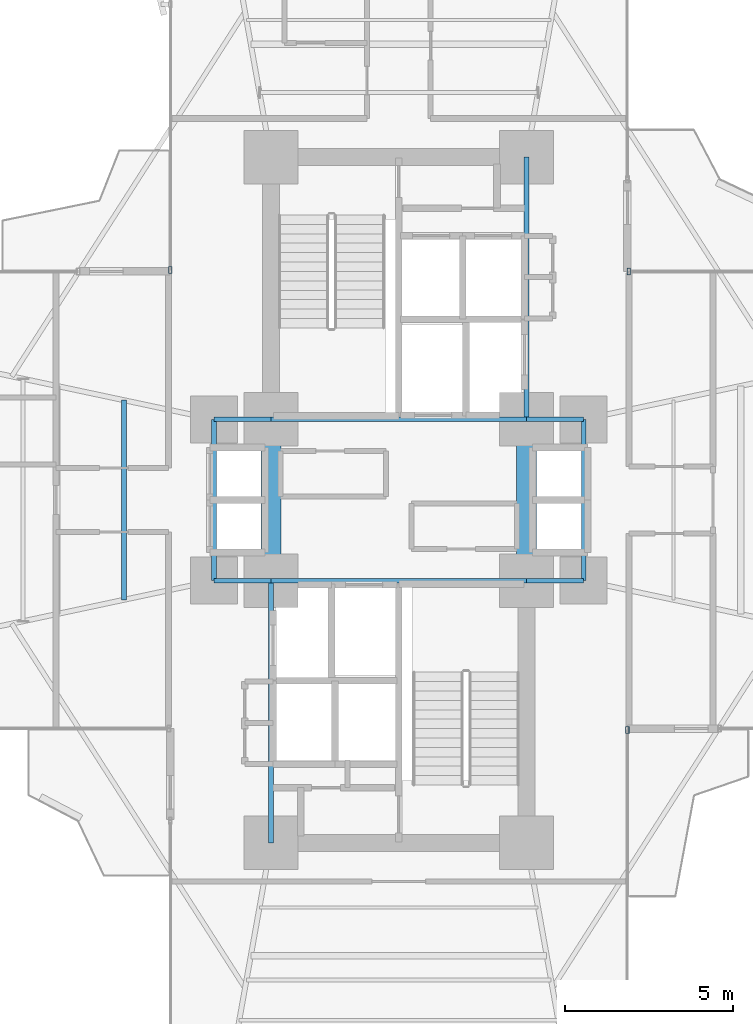
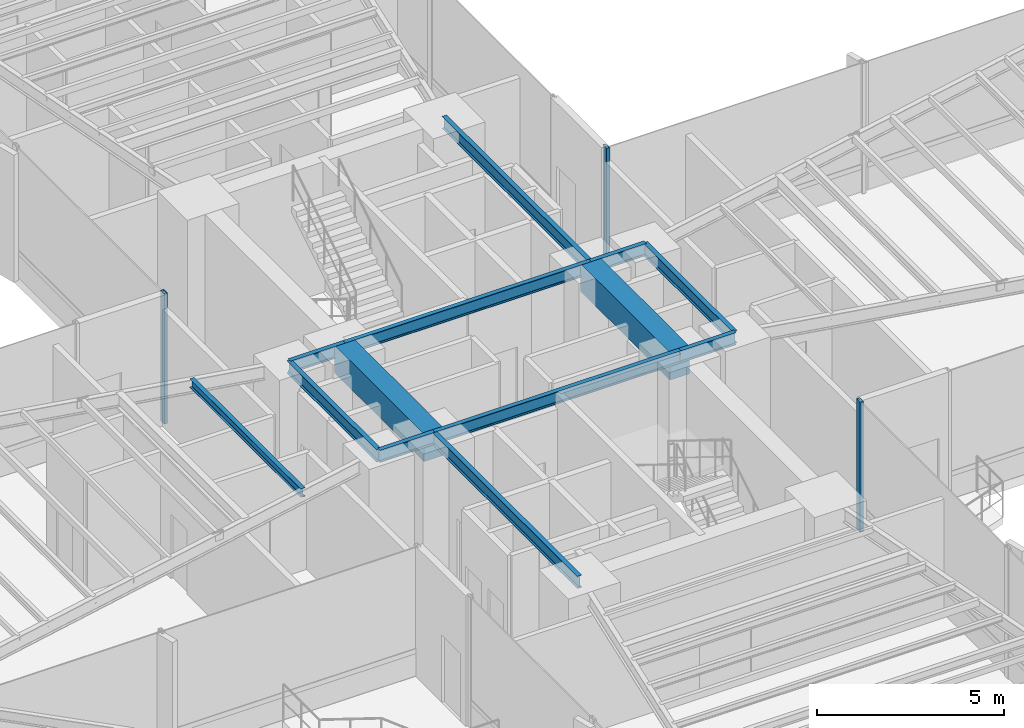
# One storey, part 7 of 20: 13 beams, 3 members, 3 elements without a shape of their own.
"""IFC4 building model written with IfcOpenShell, lengths in metres."""

from ifc_helpers import new_model, si_unit, direction, frame, origin, origin_2d, place, context, subcontext, project, spatial, rectangle, hollow_rectangle, i_section, extrude, source, transform, mapped, material, material_profile, profile_set, type_object, element, aggregate, save


model = new_model("IFC4")

# Units and contexts
model_context = context("Model", 3, precision=1e-05, world=origin(), true_north=direction((0.0, 1.0)))
body_context = subcontext(model_context, "Body", "Model", "MODEL_VIEW")
ifc_project = project(units=[si_unit("LENGTHUNIT", "METRE"), si_unit("AREAUNIT", "SQUARE_METRE"), si_unit("VOLUMEUNIT", "CUBIC_METRE"), si_unit("PLANEANGLEUNIT", "RADIAN"), si_unit("MASSUNIT", "GRAM", prefix="KILO")], contexts=[model_context])

# Site, building, storey
site_placement = place(None, origin())
site = spatial("IfcSite", under=ifc_project, at=site_placement, CompositionType="ELEMENT")
building_placement = place(site_placement, origin())
building = spatial("IfcBuilding", under=site, at=building_placement, Name="Sahyath Konkavel Grand Hotel", CompositionType="ELEMENT")
storey_placement = place(building_placement, frame((0.0, 0.0, 46.550048828125)))
storey = spatial("IfcBuildingStorey", under=building, at=storey_placement, Name="L12", CompositionType="ELEMENT", Elevation=46.550048828125)

# Beams
ifc_material_1 = material(Name="Concrete C70/85", Category="concrete")
ifc_material_profile_1 = material_profile(ifc_material_1, rectangle(XDim=0.60009765625, YDim=0.89990234375, at=origin_2d()), Name="RC 600x900")
ifc_profile_set_1 = profile_set([ifc_material_profile_1], Name="Concrete C70/85")
beam_type_1 = type_object("IfcBeamType", Name="BM-CB600x900", PredefinedType="LINTEL", material=ifc_profile_set_1)
shared_shape_1 = source(origin(), body_context, "Body", "SweptSolid", [
    extrude(rectangle(XDim=0.60009765625, YDim=0.89990234375, at=origin_2d()), origin(), (0.0, 0.0, 1.0), 4.7998046875),
])
for number, where, z_axis, x_axis, name in (
    (1, (-3.800048828125, -2.39990234375, 3.81005859375), (0.0, 1.0, 0.0), (-1.0, 0.0, 0.0), "L12 Split-Core Coupling Beam West"),
    (2, (3.800048828125, -2.39990234375, 3.81005859375), (0.0, 1.0, 0.0), (-1.0, 0.0, 0.0), "L12 Split-Core Coupling Beam East"),
):
    element("IfcBeam", number, at=place(storey_placement, frame(where, z_axis=z_axis, x_axis=x_axis)), inside=storey, type_object=beam_type_1, Name=name, PredefinedType="LINTEL", context=body_context, shape_type="MappedRepresentation", body=[
        mapped(shared_shape_1, transform((0.0, 0.0, 0.0), scale=1.0)),
    ])
ifc_material_2 = material(Name="Steel E350", Category="steel")
ifc_material_profile_2 = material_profile(ifc_material_2, i_section(OverallWidth=0.139892578125, OverallDepth=0.39990234375, WebThickness=0.0087890625, FlangeThickness=0.01611328125, FilletRadius=0.013916015625, at=origin_2d()), Name="ISMB 400")
ifc_profile_set_2 = profile_set([ifc_material_profile_2], Name="Steel E350")
beam_type_2 = type_object("IfcBeamType", Name="BM-ISMB400", PredefinedType="BEAM", material=ifc_profile_set_2)
shared_shape_2 = source(origin(), body_context, "Body", "SweptSolid", [
    extrude(i_section(OverallWidth=0.139892578125, OverallDepth=0.39990234375, WebThickness=0.0087890625, FlangeThickness=0.01611328125, FilletRadius=0.013916015625, at=origin_2d()), origin(), (0.0, 0.0, 1.0), 7.60009765625),
])
for number, where, z_axis, x_axis, name in (
    (3, (-3.800048828125, 2.39990234375, 4.06005859375), (1.0, 0.0, 0.0), (0.0, 1.0, 0.0), "str:bm:L12:NC-S"),
    (4, (-3.800048828125, -2.39990234375, 4.06005859375), (1.0, 0.0, 0.0), (0.0, 1.0, 0.0), "str:bm:L12:SC-N"),
):
    element("IfcBeam", number, at=place(storey_placement, frame(where, z_axis=z_axis, x_axis=x_axis)), inside=storey, type_object=beam_type_2, Name=name, PredefinedType="BEAM", context=body_context, shape_type="MappedRepresentation", body=[
        mapped(shared_shape_2, transform((0.0, 0.0, 0.0), scale=1.0)),
    ])
shared_shape_3 = source(origin(), body_context, "Body", "SweptSolid", [
    extrude(i_section(OverallWidth=0.139892578125, OverallDepth=0.39990234375, WebThickness=0.0087890625, FlangeThickness=0.01611328125, FilletRadius=0.013916015625, at=origin_2d()), origin(), (0.0, 0.0, 1.0), 7.800048828125),
])
for number, where, z_axis, x_axis, name in (
    (5, (3.800048828125, 2.39990234375, 4.06005859375), (0.0, 1.0, 0.0), (-1.0, 0.0, 0.0), "str:bm:L12:NC-E"),
    (6, (-3.800048828125, -10.199951171875, 4.06005859375), (0.0, 1.0, 0.0), (-1.0, 0.0, 0.0), "str:bm:L12:SC-W"),
):
    element("IfcBeam", number, at=place(storey_placement, frame(where, z_axis=z_axis, x_axis=x_axis)), inside=storey, type_object=beam_type_2, Name=name, PredefinedType="BEAM", context=body_context, shape_type="MappedRepresentation", body=[
        mapped(shared_shape_3, transform((0.0, 0.0, 0.0), scale=1.0)),
    ])
shared_shape_4 = source(origin(), body_context, "Body", "SweptSolid", [
    extrude(i_section(OverallWidth=0.139892578125, OverallDepth=0.39990234375, WebThickness=0.0087890625, FlangeThickness=0.01611328125, FilletRadius=0.013916015625, at=origin_2d()), origin(), (0.0, 0.0, 1.0), 1.699951171875),
])
for number, where, z_axis, x_axis, name in (
    (7, (-5.5, 2.39990234375, 4.06005859375), (1.0, 0.0, 0.0), (0.0, 1.0, 0.0), "str:bm:L12:HB-NW"),
    (8, (3.800048828125, 2.39990234375, 4.06005859375), (1.0, 0.0, 0.0), (0.0, 1.0, 0.0), "str:bm:L12:HB-NE"),
    (9, (-5.5, -2.39990234375, 4.06005859375), (1.0, 0.0, 0.0), (0.0, 1.0, 0.0), "str:bm:L12:HB-SW"),
    (10, (3.800048828125, -2.39990234375, 4.06005859375), (1.0, 0.0, 0.0), (0.0, 1.0, 0.0), "str:bm:L12:HB-SE"),
):
    element("IfcBeam", number, at=place(storey_placement, frame(where, z_axis=z_axis, x_axis=x_axis)), inside=storey, type_object=beam_type_2, Name=name, PredefinedType="BEAM", context=body_context, shape_type="MappedRepresentation", body=[
        mapped(shared_shape_4, transform((0.0, 0.0, 0.0), scale=1.0)),
    ])
shared_shape_5 = source(origin(), body_context, "Body", "SweptSolid", [
    extrude(i_section(OverallWidth=0.139892578125, OverallDepth=0.39990234375, WebThickness=0.0087890625, FlangeThickness=0.01611328125, FilletRadius=0.013916015625, at=origin_2d()), origin(), (0.0, 0.0, 1.0), 4.7998046875),
])
for number, where, z_axis, x_axis, name in (
    (11, (5.5, -2.39990234375, 4.06005859375), (0.0, 1.0, 0.0), (-1.0, 0.0, 0.0), "str:bm:L12:HB-E"),
    (12, (-5.5, -2.39990234375, 4.06005859375), (0.0, 1.0, 0.0), (-1.0, 0.0, 0.0), "str:bm:L12:HB-W"),
):
    element("IfcBeam", number, at=place(storey_placement, frame(where, z_axis=z_axis, x_axis=x_axis)), inside=storey, type_object=beam_type_2, Name=name, PredefinedType="BEAM", context=body_context, shape_type="MappedRepresentation", body=[
        mapped(shared_shape_5, transform((0.0, 0.0, 0.0), scale=1.0)),
    ])
ifc_material_profile_3 = material_profile(ifc_material_2, i_section(OverallWidth=0.139892578125, OverallDepth=0.27490234375, WebThickness=0.00634765625, FlangeThickness=0.0087890625, FilletRadius=0.012939453125, at=origin_2d()), Name="ISLB 275")
ifc_profile_set_3 = profile_set([ifc_material_profile_3], Name="Steel E350")
beam_type_3 = type_object("IfcBeamType", Name="BM-ISLB275", PredefinedType="BEAM", material=ifc_profile_set_3)
shared_shape_6 = source(origin(), body_context, "Body", "SweptSolid", [
    extrude(i_section(OverallWidth=0.139892578125, OverallDepth=0.27490234375, WebThickness=0.00634765625, FlangeThickness=0.0087890625, FilletRadius=0.012939453125, at=origin_2d()), origin(), (0.0, 0.0, 1.0), 5.93603515625),
])
beam_placement = place(storey_placement, frame((-8.172119140625, 2.968017578125, 4.12255859375), z_axis=(0.0, -1.0, 0.0), x_axis=(1.0, 0.0, 0.0)))
element("IfcBeam", 13, at=beam_placement, inside=storey, type_object=beam_type_3, Name="L12 Composite Deck Sub-Beam W-1", PredefinedType="BEAM", context=body_context, shape_type="MappedRepresentation", body=[
    mapped(shared_shape_6, transform((0.0, 0.0, 0.0), scale=1.0)),
])

# Curtain wall, member
ifc_material_3 = material(Name="Anodised Bronze Aluminium & Low-E Glazing", Category="aluminium")
curtain_wall_type = type_object("IfcCurtainWallType", Name="CW-SKYLOBBY", PredefinedType="NOTDEFINED", material=ifc_material_3)
curtain_wall_1_placement = place(storey_placement, origin())
curtain_wall_1 = element("IfcCurtainWall", 14, at=curtain_wall_1_placement, inside=storey, type_object=curtain_wall_type, Name="L12 Unitised Curtain Wall F7", PredefinedType="NOTDEFINED")
ifc_material_4 = material(Name="Anodised Bronze Aluminium", Category="aluminium")
ifc_material_profile_4 = material_profile(ifc_material_4, hollow_rectangle(XDim=0.10009765625, YDim=0.199951171875, WallThickness=0.008056640625, at=origin_2d()), Name="RHS 200x100x8")
ifc_profile_set_4 = profile_set([ifc_material_profile_4], Name="Anodised Bronze Aluminium")
member_type = type_object("IfcMemberType", Name="CW-MUL-200", PredefinedType="MULLION", material=ifc_profile_set_4)
shared_shape_7 = source(origin(), body_context, "Body", "SweptSolid", [
    extrude(hollow_rectangle(XDim=0.10009765625, YDim=0.199951171875, WallThickness=0.008056640625, at=origin_2d()), origin(), (0.0, 0.0, 1.0), 4.260009765625),
])
member_1_placement = place(storey_placement, frame((6.840087890625, 6.800048828125, 0.0), z_axis=(0.0, 0.0, 1.0), x_axis=(1.0, 0.0, 0.0)))
member_1 = element("IfcMember", 15, at=member_1_placement, type_object=member_type, Name="L12 Curtain Wall Mullion F7-2", PredefinedType="MULLION", context=body_context, shape_type="MappedRepresentation", body=[
    mapped(shared_shape_7, transform((0.0, 0.0, 0.0), scale=1.0)),
])
aggregate(curtain_wall_1, [member_1])

curtain_wall_2_placement = place(storey_placement, origin())
curtain_wall_2 = element("IfcCurtainWall", 16, at=curtain_wall_2_placement, inside=storey, type_object=curtain_wall_type, Name="L12 Unitised Curtain Wall F15", PredefinedType="NOTDEFINED")
member_2_placement = place(storey_placement, frame((-6.800048828125, 6.840087890625, 0.0), z_axis=(0.0, 0.0, 1.0), x_axis=(1.0, 0.0, 0.0)))
member_2 = element("IfcMember", 17, at=member_2_placement, type_object=member_type, Name="L12 Curtain Wall Mullion F15-2", PredefinedType="MULLION", context=body_context, shape_type="MappedRepresentation", body=[
    mapped(shared_shape_7, transform((0.0, 0.0, 0.0), scale=1.0)),
])
aggregate(curtain_wall_2, [member_2])

curtain_wall_3_placement = place(storey_placement, origin())
curtain_wall_3 = element("IfcCurtainWall", 18, at=curtain_wall_3_placement, inside=storey, type_object=curtain_wall_type, Name="L12 Unitised Curtain Wall F31", PredefinedType="NOTDEFINED")
member_3_placement = place(storey_placement, frame((6.800048828125, -6.840087890625, 0.0), z_axis=(0.0, 0.0, 1.0), x_axis=(1.0, 0.0, 0.0)))
member_3 = element("IfcMember", 19, at=member_3_placement, type_object=member_type, Name="L12 Curtain Wall Mullion F31-2", PredefinedType="MULLION", context=body_context, shape_type="MappedRepresentation", body=[
    mapped(shared_shape_7, transform((0.0, 0.0, 0.0), scale=1.0)),
])
aggregate(curtain_wall_3, [member_3])

save(model, "model.ifc")
